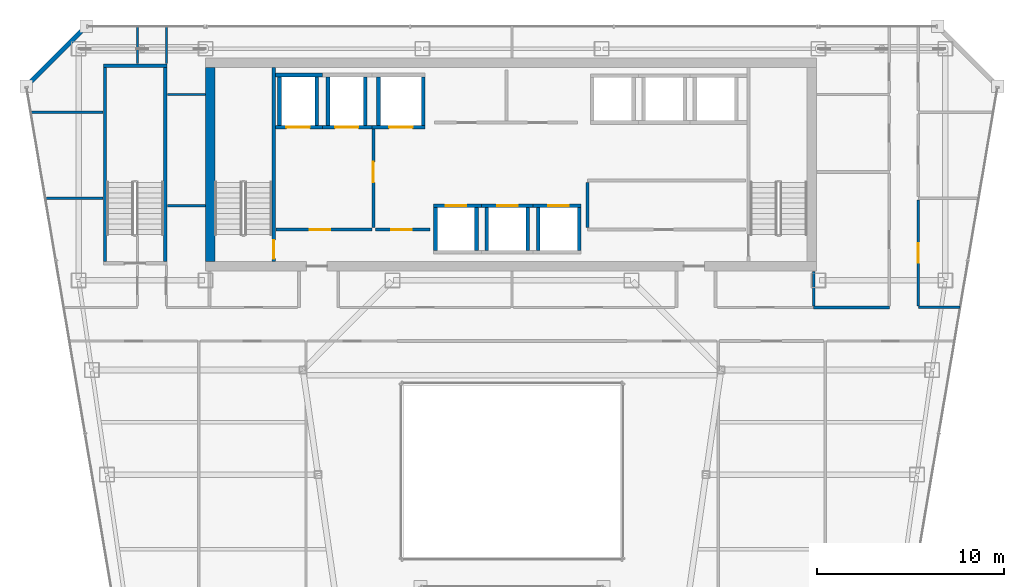
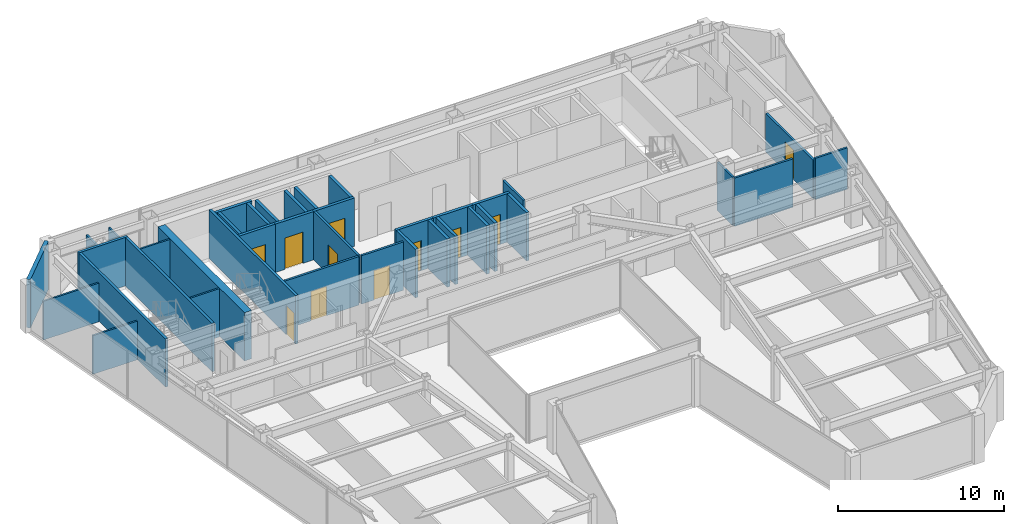
# One storey, part 31 of 36: 39 walls, 11 doors, 11 openings.
"""IFC4 building model written with IfcOpenShell, lengths in metres."""

from ifc_helpers import new_model, si_unit, direction, frame, frame_2d, origin, place, context, subcontext, project, spatial, rectangle, extrude, material, layer, layer_set, type_object, element, fill, save


model = new_model("IFC4")

# Units and contexts
model_context = context("Model", 3, precision=1e-05, world=origin(), true_north=direction((0.0, 1.0)))
body_context = subcontext(model_context, "Body", "Model", "MODEL_VIEW")
ifc_project = project(units=[si_unit("LENGTHUNIT", "METRE"), si_unit("AREAUNIT", "SQUARE_METRE"), si_unit("VOLUMEUNIT", "CUBIC_METRE"), si_unit("PLANEANGLEUNIT", "RADIAN"), si_unit("MASSUNIT", "GRAM", prefix="KILO")], contexts=[model_context])

# Site, building, storey
site_placement = place(None, origin())
site = spatial("IfcSite", under=ifc_project, at=site_placement, CompositionType="ELEMENT")
building_placement = place(site_placement, origin())
building = spatial("IfcBuilding", under=site, at=building_placement, Name="Saevonmaru Cultural Tower", CompositionType="ELEMENT")
storey_placement = place(building_placement, frame((0.0, 0.0, 182.800048828125)))
storey = spatial("IfcBuildingStorey", under=building, at=storey_placement, Name="L41", CompositionType="ELEMENT", Elevation=182.800048828125)

# Wall
ifc_material_1 = material(Name="Concrete C60/75", Category="concrete")
ifc_layer_1 = layer(ifc_material_1, 0.5, Name="Concrete C60/75")
ifc_layer_set_1 = layer_set([ifc_layer_1], Name="Concrete C60/75")
wall_type_1 = type_object("IfcWallType", Name="WL-CORE-500", PredefinedType="SHEAR", material=ifc_layer_set_1)
wall_1_placement = place(storey_placement, frame((13.85009765625, 43.39990234375, 0.0), z_axis=(0.0, 0.0, 1.0), x_axis=(0.0, 1.0, 0.0)))
element("IfcWall", 1, at=wall_1_placement, inside=storey, type_object=wall_type_1, Name="L41 Tower RC core shear wall W", PredefinedType="SHEAR", context=body_context, shape_type="SweptSolid", body=[
    extrude(rectangle(XDim=10.400146484375, YDim=0.5, at=frame_2d((5.2001953125, 0.0))), origin(), (0.0, 0.0, 1.0), 3.550048828125),
])

# Wall, opening, door
ifc_material_2 = material(Name="Gypsum Fireboard Partition", Category="gypsum")
ifc_layer_2 = layer(ifc_material_2, 0.14990234375, Name="Gypsum Fireboard Partition")
ifc_layer_set_2 = layer_set([ifc_layer_2], Name="Gypsum Fireboard Partition")
wall_type_2 = type_object("IfcWallType", Name="WL-CORE-PART-150", PredefinedType="PARTITIONING", material=ifc_layer_set_2)
wall_2_placement = place(storey_placement, frame((17.360107421875, 45.1201171875, 0.0), z_axis=(0.0, 0.0, 1.0), x_axis=(1.0, 0.0, 0.0)))
wall_2 = element("IfcWall", 2, at=wall_2_placement, inside=storey, type_object=wall_type_2, Name="L41 Firefighting Lift Lobby South Wall", PredefinedType="PARTITIONING", context=body_context, shape_type="SweptSolid", body=[
    extrude(rectangle(XDim=5.139892578125, YDim=0.14990234375, at=frame_2d((2.56982421875, 0.0))), origin(), (0.0, 0.0, 1.0), 3.550048828125),
])
opening_1_placement = place(wall_2_placement, frame((1.800048828125, 0.0, 0.0)))
opening_1 = element("IfcOpeningElement", 3, at=opening_1_placement, cuts=wall_2, Name="Opening FD-2", PredefinedType="OPENING", context=body_context, shape_type="SweptSolid", body=[
    extrude(rectangle(XDim=1.10009765625, YDim=2.14990234375, at=frame_2d((0.550048828125, 1.074951171875))), frame((0.0, 0.0849609375, 0.0), z_axis=(0.0, -1.0, 0.0), x_axis=(1.0, 0.0, 0.0)), (0.0, 0.0, 1.0), 0.169921875),
])
ifc_material_3 = material(Name="Satin Bronze Anodised Aluminium", Category="aluminium")
door_type_1 = type_object("IfcDoorType", Name="DR-FD60-1100", OperationType="SINGLE_SWING_LEFT", PredefinedType="DOOR", material=ifc_material_3)
door_1_placement = place(opening_1_placement, origin())
door_1 = element("IfcDoor", 4, at=door_1_placement, inside=storey, type_object=door_type_1, Name="L41 Firefighting Lift Lobby South Door", OperationType="SINGLE_SWING_LEFT", OverallHeight=2.14990234375, OverallWidth=1.10009765625, PredefinedType="DOOR", context=body_context, shape_type="SweptSolid", body=[
    extrude(rectangle(XDim=1.10009765625, YDim=2.14990234375, at=frame_2d((0.550048828125, 1.074951171875))), frame((0.0, 0.02490234375, 0.0), z_axis=(0.0, -1.0, 0.0), x_axis=(1.0, 0.0, 0.0)), (0.0, 0.0, 1.0), 0.050048828125),
])
fill(opening_1, door_1)

wall_3_placement = place(storey_placement, frame((22.580078125, 50.550048828125, 0.0), z_axis=(0.0, 0.0, 1.0), x_axis=(0.0, -1.0, 0.0)))
wall_3 = element("IfcWall", 5, at=wall_3_placement, inside=storey, type_object=wall_type_2, Name="L41 Firefighting Lift Lobby East Wall", PredefinedType="PARTITIONING", context=body_context, shape_type="SweptSolid", body=[
    extrude(rectangle(XDim=5.330078125, YDim=0.14990234375, at=frame_2d((2.6650390625, 0.0))), origin(), (0.0, 0.0, 1.0), 3.550048828125),
])
opening_2_placement = place(wall_3_placement, frame((1.800048828125, 0.0, 0.0)))
opening_2 = element("IfcOpeningElement", 6, at=opening_2_placement, cuts=wall_3, Name="Opening FD-2", PredefinedType="OPENING", context=body_context, shape_type="SweptSolid", body=[
    extrude(rectangle(XDim=1.10009765625, YDim=2.14990234375, at=frame_2d((0.550048828125, 1.074951171875))), frame((0.0, 0.0849609375, 0.0), z_axis=(0.0, -1.0, 0.0), x_axis=(1.0, 0.0, 0.0)), (0.0, 0.0, 1.0), 0.169921875),
])
door_2_placement = place(opening_2_placement, origin())
door_2 = element("IfcDoor", 7, at=door_2_placement, inside=storey, type_object=door_type_1, Name="L41 Firefighting Lift Lobby East Door", OperationType="SINGLE_SWING_LEFT", OverallHeight=2.14990234375, OverallWidth=1.10009765625, PredefinedType="DOOR", context=body_context, shape_type="SweptSolid", body=[
    extrude(rectangle(XDim=1.10009765625, YDim=2.14990234375, at=frame_2d((0.550048828125, 1.074951171875))), frame((0.0, 0.02490234375, 0.0), z_axis=(0.0, -1.0, 0.0), x_axis=(1.0, 0.0, 0.0)), (0.0, 0.0, 1.0), 0.050048828125),
])
fill(opening_2, door_2)

wall_4_placement = place(storey_placement, frame((22.679931640625, 45.1201171875, 0.0), z_axis=(0.0, 0.0, 1.0), x_axis=(1.0, 0.0, 0.0)))
wall_4 = element("IfcWall", 8, at=wall_4_placement, inside=storey, type_object=wall_type_2, Name="L41 Service Lift Vestibule Wall", PredefinedType="PARTITIONING", context=body_context, shape_type="SweptSolid", body=[
    extrude(rectangle(XDim=2.920166015625, YDim=0.14990234375, at=frame_2d((1.4599609375, 0.0))), origin(), (0.0, 0.0, 1.0), 3.550048828125),
])
opening_3_placement = place(wall_4_placement, frame((0.85009765625, 0.0, 0.0)))
opening_3 = element("IfcOpeningElement", 9, at=opening_3_placement, cuts=wall_4, Name="Opening FD-2", PredefinedType="OPENING", context=body_context, shape_type="SweptSolid", body=[
    extrude(rectangle(XDim=1.10009765625, YDim=2.14990234375, at=frame_2d((0.550048828125, 1.074951171875))), frame((0.0, 0.0849609375, 0.0), z_axis=(0.0, -1.0, 0.0), x_axis=(1.0, 0.0, 0.0)), (0.0, 0.0, 1.0), 0.169921875),
])
door_3_placement = place(opening_3_placement, origin())
door_3 = element("IfcDoor", 10, at=door_3_placement, inside=storey, type_object=door_type_1, Name="L41 Service Lift Vestibule Door", OperationType="SINGLE_SWING_LEFT", OverallHeight=2.14990234375, OverallWidth=1.10009765625, PredefinedType="DOOR", context=body_context, shape_type="SweptSolid", body=[
    extrude(rectangle(XDim=1.10009765625, YDim=2.14990234375, at=frame_2d((0.550048828125, 1.074951171875))), frame((0.0, 0.02490234375, 0.0), z_axis=(0.0, -1.0, 0.0), x_axis=(1.0, 0.0, 0.0)), (0.0, 0.0, 1.0), 0.050048828125),
])
fill(opening_3, door_3)

# Walls
wall_5_placement = place(storey_placement, frame((34.050048828125, 45.219970703125, 0.0), z_axis=(0.0, 0.0, 1.0), x_axis=(0.0, 1.0, 0.0)))
element("IfcWall", 11, at=wall_5_placement, inside=storey, type_object=wall_type_2, Name="L41 Core Service West Wall", PredefinedType="PARTITIONING", context=body_context, shape_type="SweptSolid", body=[
    extrude(rectangle(XDim=2.429931640625, YDim=0.14990234375, at=frame_2d((1.21484375, 0.0))), origin(), (0.0, 0.0, 1.0), 3.550048828125),
])
ifc_material_4 = material(Name="Granite-Clad Precast Concrete C40/50", Category="masonry")
ifc_layer_3 = layer(ifc_material_4, 0.260009765625, Name="Granite-Clad Precast Concrete C40/50")
ifc_layer_set_3 = layer_set([ifc_layer_3], Name="Granite-Clad Precast Concrete C40/50")
wall_type_3 = type_object("IfcWallType", Name="WL-EXT-SPANDREL-260", PredefinedType="STANDARD", material=ifc_layer_set_3)
wall_6_placement = place(storey_placement, frame((7.0869140625, 55.886962890625, 0.0), z_axis=(0.0, 0.0, 1.0), x_axis=(-0.707106781187, -0.707106781187, 0.0)))
element("IfcWall", 12, at=wall_6_placement, inside=storey, type_object=wall_type_3, Name="L41 Chamfer Corner Spandrel Wall E11", PredefinedType="STANDARD", context=body_context, shape_type="SweptSolid", body=[
    extrude(rectangle(XDim=4.205810546875, YDim=0.260009765625, at=frame_2d((2.10302734375, 0.0))), origin(), (0.0, 0.0, 1.0), 3.550048828125),
])

# Wall, opening, door
ifc_layer_4 = layer(ifc_material_2, 0.14990234375, Name="Gypsum Fireboard Partition")
ifc_layer_set_4 = layer_set([ifc_layer_4], Name="Gypsum Fireboard Partition")
wall_type_4 = type_object("IfcWallType", Name="WL-PART-FIRE-150", PredefinedType="PARTITIONING", material=ifc_layer_set_4)
wall_7_placement = place(storey_placement, frame((51.75, 41.03759765625, 0.0), z_axis=(0.0, 0.0, 1.0), x_axis=(0.0, 1.0, 0.0)))
wall_7 = element("IfcWall", 13, at=wall_7_placement, inside=storey, type_object=wall_type_4, Name="L41 Permanent Exhibition Gallery Corridor Wall", PredefinedType="PARTITIONING", context=body_context, shape_type="SweptSolid", body=[
    extrude(rectangle(XDim=5.6748046875, YDim=0.14990234375, at=frame_2d((2.83740234375, 0.0))), origin(), (0.0, 0.0, 1.0), 2.8349609375),
])
opening_4_placement = place(wall_7_placement, frame((2.31201171875, 0.0, 0.0)))
opening_4 = element("IfcOpeningElement", 14, at=opening_4_placement, cuts=wall_7, Name="Opening ID-1", PredefinedType="OPENING", context=body_context, shape_type="SweptSolid", body=[
    extrude(rectangle(XDim=1.050048828125, YDim=2.14990234375, at=frame_2d((0.52490234375, 1.074951171875))), frame((0.0, 0.0849609375, 0.0), z_axis=(0.0, -1.0, 0.0), x_axis=(1.0, 0.0, 0.0)), (0.0, 0.0, 1.0), 0.169921875),
])
door_type_2 = type_object("IfcDoorType", Name="DR-INT-1050", OperationType="SINGLE_SWING_LEFT", PredefinedType="DOOR", material=ifc_material_3)
door_4_placement = place(opening_4_placement, origin())
door_4 = element("IfcDoor", 15, at=door_4_placement, inside=storey, type_object=door_type_2, Name="L41 Permanent Exhibition Gallery Door", OperationType="SINGLE_SWING_LEFT", OverallHeight=2.14990234375, OverallWidth=1.050048828125, PredefinedType="DOOR", context=body_context, shape_type="SweptSolid", body=[
    extrude(rectangle(XDim=1.050048828125, YDim=2.14990234375, at=frame_2d((0.52490234375, 1.074951171875))), frame((0.0, 0.02490234375, 0.0), z_axis=(0.0, -1.0, 0.0), x_axis=(1.0, 0.0, 0.0)), (0.0, 0.0, 1.0), 0.050048828125),
])
fill(opening_4, door_4)

# Walls
ifc_layer_5 = layer(ifc_material_2, 0.1201171875, Name="Gypsum Fireboard Partition")
ifc_layer_set_5 = layer_set([ifc_layer_5], Name="Gypsum Fireboard Partition")
wall_type_5 = type_object("IfcWallType", Name="WL-PART-GYP-120", PredefinedType="PARTITIONING", material=ifc_layer_set_5)
wall_8_placement = place(storey_placement, frame((11.550048828125, 52.35009765625, 0.0), z_axis=(0.0, 0.0, 1.0), x_axis=(1.0, 0.0, 0.0)))
element("IfcWall", 16, at=wall_8_placement, inside=storey, type_object=wall_type_5, Name="L41 North-West Panorama South Wall", PredefinedType="PARTITIONING", context=body_context, shape_type="SweptSolid", body=[
    extrude(rectangle(XDim=2.030029296875, YDim=0.1201171875, at=frame_2d((1.01513671875, 0.0))), origin(), (0.0, 0.0, 1.0), 3.550048828125),
])
wall_9_placement = place(storey_placement, frame((11.5, 54.0, 0.0), z_axis=(0.0, 0.0, 1.0), x_axis=(0.0, 1.0, 0.0)))
element("IfcWall", 17, at=wall_9_placement, inside=storey, type_object=wall_type_5, Name="L41 Editorial Fellows Office Corridor Wall", PredefinedType="PARTITIONING", context=body_context, shape_type="SweptSolid", body=[
    extrude(rectangle(XDim=1.9951171875, YDim=0.1201171875, at=frame_2d((0.99755859375, 0.0))), origin(), (0.0, 0.0, 1.0), 2.93505859375),
])
wall_10_placement = place(storey_placement, frame((5.020751953125, 46.800048828125, 0.0), z_axis=(0.0, 0.0, 1.0), x_axis=(1.0, 0.0, 0.0)))
element("IfcWall", 18, at=wall_10_placement, inside=storey, type_object=wall_type_5, Name="L41 NW Studio Divider 1", PredefinedType="PARTITIONING", context=body_context, shape_type="SweptSolid", body=[
    extrude(rectangle(XDim=3.079345703125, YDim=0.1201171875, at=frame_2d((1.53955078125, 0.0))), origin(), (0.0, 0.0, 1.0), 2.8349609375),
])
wall_11_placement = place(storey_placement, frame((4.2421875, 51.39990234375, 0.0), z_axis=(0.0, 0.0, 1.0), x_axis=(1.0, 0.0, 0.0)))
element("IfcWall", 19, at=wall_11_placement, inside=storey, type_object=wall_type_5, Name="L41 NW Studio Divider 2", PredefinedType="PARTITIONING", context=body_context, shape_type="SweptSolid", body=[
    extrude(rectangle(XDim=3.85791015625, YDim=0.1201171875, at=frame_2d((1.928955078125, 0.0))), origin(), (0.0, 0.0, 1.0), 2.8349609375),
])
wall_12_placement = place(storey_placement, frame((9.949951171875, 54.0, 0.0), z_axis=(0.0, 0.0, 1.0), x_axis=(0.0, 1.0, 0.0)))
element("IfcWall", 20, at=wall_12_placement, inside=storey, type_object=wall_type_5, Name="L41 Editorial Fellows Office Corridor Wall", PredefinedType="PARTITIONING", context=body_context, shape_type="SweptSolid", body=[
    extrude(rectangle(XDim=1.9951171875, YDim=0.1201171875, at=frame_2d((0.99755859375, 0.0))), origin(), (0.0, 0.0, 1.0), 2.93505859375),
])
wall_13_placement = place(storey_placement, frame((11.550048828125, 46.39990234375, 0.0), z_axis=(0.0, 0.0, 1.0), x_axis=(1.0, 0.0, 0.0)))
element("IfcWall", 21, at=wall_13_placement, inside=storey, type_object=wall_type_5, Name="L41 NW Inner Divider", PredefinedType="PARTITIONING", context=body_context, shape_type="SweptSolid", body=[
    extrude(rectangle(XDim=2.030029296875, YDim=0.1201171875, at=frame_2d((1.01513671875, 0.0))), origin(), (0.0, 0.0, 1.0), 3.550048828125),
])
ifc_layer_6 = layer(ifc_material_2, 0.135009765625, Name="Gypsum Fireboard Partition")
ifc_layer_set_6 = layer_set([ifc_layer_6], Name="Gypsum Fireboard Partition")
wall_type_6 = type_object("IfcWallType", Name="WL-PART-GYP-135", PredefinedType="PARTITIONING", material=ifc_layer_set_6)
wall_14_placement = place(storey_placement, frame((51.75, 40.949951171875, 0.0), z_axis=(0.0, 0.0, 1.0), x_axis=(1.0, 0.0, 0.0)))
element("IfcWall", 22, at=wall_14_placement, inside=storey, type_object=wall_type_6, Name="L41 NE Wing South Wall", PredefinedType="PARTITIONING", context=body_context, shape_type="SweptSolid", body=[
    extrude(rectangle(XDim=2.23876953125, YDim=0.135009765625, at=frame_2d((1.119384765625, 0.0))), origin(), (0.0, 0.0, 1.0), 3.034912109375),
])
ifc_layer_7 = layer(ifc_material_2, 0.139892578125, Name="Gypsum Fireboard Partition")
ifc_layer_set_7 = layer_set([ifc_layer_7], Name="Gypsum Fireboard Partition")
wall_type_7 = type_object("IfcWallType", Name="WL-PART-WET-140", PredefinedType="PARTITIONING", material=ifc_layer_set_7)
wall_15_placement = place(storey_placement, frame((46.14990234375, 40.949951171875, 0.0), z_axis=(0.0, 0.0, 1.0), x_axis=(1.0, 0.0, 0.0)))
element("IfcWall", 23, at=wall_15_placement, inside=storey, type_object=wall_type_7, Name="L41 Washroom South Wall", PredefinedType="PARTITIONING", context=body_context, shape_type="SweptSolid", body=[
    extrude(rectangle(XDim=4.050048828125, YDim=0.139892578125, at=frame_2d((2.02490234375, 0.0))), origin(), (0.0, 0.0, 1.0), 3.550048828125),
])
wall_16_placement = place(storey_placement, frame((46.14990234375, 41.0400390625, 0.0), z_axis=(0.0, 0.0, 1.0), x_axis=(0.0, 1.0, 0.0)))
element("IfcWall", 24, at=wall_16_placement, inside=storey, type_object=wall_type_7, Name="L41 Washroom South-West Return", PredefinedType="PARTITIONING", context=body_context, shape_type="SweptSolid", body=[
    extrude(rectangle(XDim=1.83984375, YDim=0.139892578125, at=frame_2d((0.919921875, 0.0))), origin(), (0.0, 0.0, 1.0), 3.550048828125),
])

# Wall, opening, door
ifc_material_5 = material(Name="Concrete C40/50", Category="concrete")
ifc_layer_8 = layer(ifc_material_5, 0.199951171875, Name="Concrete C40/50")
ifc_layer_set_8 = layer_set([ifc_layer_8], Name="Concrete C40/50")
wall_type_8 = type_object("IfcWallType", Name="WL-SHAFT-200", PredefinedType="SHEAR", material=ifc_layer_set_8)
wall_17_placement = place(storey_placement, frame((17.330078125, 50.60009765625, 0.0), z_axis=(0.0, 0.0, 1.0), x_axis=(1.0, 0.0, 0.0)))
wall_17 = element("IfcWall", 25, at=wall_17_placement, inside=storey, type_object=wall_type_8, Name="L41 Lift FFL-1 Hoistway Wall S", PredefinedType="SHEAR", context=body_context, shape_type="SweptSolid", body=[
    extrude(rectangle(XDim=2.52001953125, YDim=0.199951171875, at=frame_2d((1.260009765625, 0.0))), origin(), (0.0, 0.0, 1.0), 3.550048828125),
])
opening_5_placement = place(wall_17_placement, frame((0.594970703125, 0.0, 0.0)))
opening_5 = element("IfcOpeningElement", 26, at=opening_5_placement, cuts=wall_17, Name="Opening LD-2", PredefinedType="OPENING", context=body_context, shape_type="SweptSolid", body=[
    extrude(rectangle(XDim=1.25, YDim=2.300048828125, at=frame_2d((0.625, 1.14990234375))), frame((0.0, 0.10986328125, 0.0), z_axis=(0.0, -1.0, 0.0), x_axis=(1.0, 0.0, 0.0)), (0.0, 0.0, 1.0), 0.219970703125),
])
ifc_material_6 = material(Name="Stainless Steel 316", Category="steel")
door_type_3 = type_object("IfcDoorType", Name="DR-LIFT-1250", OperationType="SLIDING_TO_LEFT", PredefinedType="DOOR", material=ifc_material_6)
door_5_placement = place(opening_5_placement, origin())
door_5 = element("IfcDoor", 27, at=door_5_placement, inside=storey, type_object=door_type_3, Name="L41 Lift FFL-1 Sliding Landing Door", OperationType="SLIDING_TO_LEFT", OverallHeight=2.300048828125, OverallWidth=1.25, PredefinedType="DOOR", context=body_context, shape_type="SweptSolid", body=[
    extrude(rectangle(XDim=1.25, YDim=2.300048828125, at=frame_2d((0.625, 1.14990234375))), frame((0.0, 0.02490234375, 0.0), z_axis=(0.0, -1.0, 0.0), x_axis=(1.0, 0.0, 0.0)), (0.0, 0.0, 1.0), 0.050048828125),
])
fill(opening_5, door_5)

# Walls
wall_18_placement = place(storey_placement, frame((17.330078125, 53.39990234375, 0.0), z_axis=(0.0, 0.0, 1.0), x_axis=(1.0, 0.0, 0.0)))
element("IfcWall", 28, at=wall_18_placement, inside=storey, type_object=wall_type_8, Name="L41 Lift FFL-1 Hoistway Wall N", PredefinedType="SHEAR", context=body_context, shape_type="SweptSolid", body=[
    extrude(rectangle(XDim=2.52001953125, YDim=0.199951171875, at=frame_2d((1.260009765625, 0.0))), origin(), (0.0, 0.0, 1.0), 3.550048828125),
])
for number, where, z_axis, x_axis, name in (
    (29, (17.550048828125, 50.699951171875, 0.0), (0.0, 0.0, 1.0), (0.0, 1.0, 0.0), "L41 Lift FFL-1 Hoistway Wall W"),
    (30, (19.550048828125, 50.699951171875, 0.0), (0.0, 0.0, 1.0), (0.0, 1.0, 0.0), "L41 Lift FFL-1 Hoistway Wall E"),
):
    element("IfcWall", number, at=place(storey_placement, frame(where, z_axis=z_axis, x_axis=x_axis)), inside=storey, type_object=wall_type_8, Name=name, PredefinedType="SHEAR", context=body_context, shape_type="SweptSolid", body=[
        extrude(rectangle(XDim=2.60009765625, YDim=0.199951171875, at=frame_2d((1.300048828125, 0.0))), origin(), (0.0, 0.0, 1.0), 3.550048828125),
    ])

# Wall, opening, door
wall_19_placement = place(storey_placement, frame((19.85009765625, 50.60009765625, 0.0), z_axis=(0.0, 0.0, 1.0), x_axis=(1.0, 0.0, 0.0)))
wall_19 = element("IfcWall", 31, at=wall_19_placement, inside=storey, type_object=wall_type_8, Name="L41 Lift FFL-2 Hoistway Wall S", PredefinedType="SHEAR", context=body_context, shape_type="SweptSolid", body=[
    extrude(rectangle(XDim=2.64990234375, YDim=0.199951171875, at=frame_2d((1.324951171875, 0.0))), origin(), (0.0, 0.0, 1.0), 3.550048828125),
])
opening_6_placement = place(wall_19_placement, frame((0.675048828125, 0.0, 0.0)))
opening_6 = element("IfcOpeningElement", 32, at=opening_6_placement, cuts=wall_19, Name="Opening LD-2", PredefinedType="OPENING", context=body_context, shape_type="SweptSolid", body=[
    extrude(rectangle(XDim=1.25, YDim=2.300048828125, at=frame_2d((0.625, 1.14990234375))), frame((0.0, 0.10986328125, 0.0), z_axis=(0.0, -1.0, 0.0), x_axis=(1.0, 0.0, 0.0)), (0.0, 0.0, 1.0), 0.219970703125),
])
door_6_placement = place(opening_6_placement, origin())
door_6 = element("IfcDoor", 33, at=door_6_placement, inside=storey, type_object=door_type_3, Name="L41 Lift FFL-2 Sliding Landing Door", OperationType="SLIDING_TO_LEFT", OverallHeight=2.300048828125, OverallWidth=1.25, PredefinedType="DOOR", context=body_context, shape_type="SweptSolid", body=[
    extrude(rectangle(XDim=1.25, YDim=2.300048828125, at=frame_2d((0.625, 1.14990234375))), frame((0.0, 0.02490234375, 0.0), z_axis=(0.0, -1.0, 0.0), x_axis=(1.0, 0.0, 0.0)), (0.0, 0.0, 1.0), 0.050048828125),
])
fill(opening_6, door_6)

# Walls
for number, where, z_axis, x_axis, name in (
    (34, (20.14990234375, 50.699951171875, 0.0), (0.0, 0.0, 1.0), (0.0, 1.0, 0.0), "L41 Lift FFL-2 Hoistway Wall W"),
    (35, (22.14990234375, 50.699951171875, 0.0), (0.0, 0.0, 1.0), (0.0, 1.0, 0.0), "L41 Lift FFL-2 Hoistway Wall E"),
):
    element("IfcWall", number, at=place(storey_placement, frame(where, z_axis=z_axis, x_axis=x_axis)), inside=storey, type_object=wall_type_8, Name=name, PredefinedType="SHEAR", context=body_context, shape_type="SweptSolid", body=[
        extrude(rectangle(XDim=2.60009765625, YDim=0.199951171875, at=frame_2d((1.300048828125, 0.0))), origin(), (0.0, 0.0, 1.0), 3.550048828125),
    ])

# Wall, opening, door
wall_20_placement = place(storey_placement, frame((22.5, 50.60009765625, 0.0), z_axis=(0.0, 0.0, 1.0), x_axis=(1.0, 0.0, 0.0)))
wall_20 = element("IfcWall", 36, at=wall_20_placement, inside=storey, type_object=wall_type_8, Name="L41 Lift GL-1 Hoistway Wall S", PredefinedType="SHEAR", context=body_context, shape_type="SweptSolid", body=[
    extrude(rectangle(XDim=2.85009765625, YDim=0.199951171875, at=frame_2d((1.425048828125, 0.0))), origin(), (0.0, 0.0, 1.0), 3.550048828125),
])
opening_7_placement = place(wall_20_placement, frame((0.925048828125, 0.0, 0.0)))
opening_7 = element("IfcOpeningElement", 37, at=opening_7_placement, cuts=wall_20, Name="Opening LD-2", PredefinedType="OPENING", context=body_context, shape_type="SweptSolid", body=[
    extrude(rectangle(XDim=1.25, YDim=2.300048828125, at=frame_2d((0.625, 1.14990234375))), frame((0.0, 0.10986328125, 0.0), z_axis=(0.0, -1.0, 0.0), x_axis=(1.0, 0.0, 0.0)), (0.0, 0.0, 1.0), 0.219970703125),
])
door_7_placement = place(opening_7_placement, origin())
door_7 = element("IfcDoor", 38, at=door_7_placement, inside=storey, type_object=door_type_3, Name="L41 Lift GL-1 Sliding Landing Door", OperationType="SLIDING_TO_LEFT", OverallHeight=2.300048828125, OverallWidth=1.25, PredefinedType="DOOR", context=body_context, shape_type="SweptSolid", body=[
    extrude(rectangle(XDim=1.25, YDim=2.300048828125, at=frame_2d((0.625, 1.14990234375))), frame((0.0, 0.02490234375, 0.0), z_axis=(0.0, -1.0, 0.0), x_axis=(1.0, 0.0, 0.0)), (0.0, 0.0, 1.0), 0.050048828125),
])
fill(opening_7, door_7)

# Walls
for number, where, z_axis, x_axis, name in (
    (39, (22.85009765625, 50.699951171875, 0.0), (0.0, 0.0, 1.0), (0.0, 1.0, 0.0), "L41 Lift GL-1 Hoistway Wall W"),
    (40, (25.25, 50.699951171875, 0.0), (0.0, 0.0, 1.0), (0.0, 1.0, 0.0), "L41 Lift GL-1 Hoistway Wall E"),
):
    element("IfcWall", number, at=place(storey_placement, frame(where, z_axis=z_axis, x_axis=x_axis)), inside=storey, type_object=wall_type_8, Name=name, PredefinedType="SHEAR", context=body_context, shape_type="SweptSolid", body=[
        extrude(rectangle(XDim=2.60009765625, YDim=0.199951171875, at=frame_2d((1.300048828125, 0.0))), origin(), (0.0, 0.0, 1.0), 3.550048828125),
    ])

# Wall, opening, door
wall_21_placement = place(storey_placement, frame((25.800048828125, 46.39990234375, 0.0), z_axis=(0.0, 0.0, 1.0), x_axis=(1.0, 0.0, 0.0)))
wall_21 = element("IfcWall", 41, at=wall_21_placement, inside=storey, type_object=wall_type_8, Name="L41 Lift PL-M1 Hoistway Wall N", PredefinedType="SHEAR", context=body_context, shape_type="SweptSolid", body=[
    extrude(rectangle(XDim=2.574951171875, YDim=0.199951171875, at=frame_2d((1.28759765625, 0.0))), origin(), (0.0, 0.0, 1.0), 3.550048828125),
])
opening_8_placement = place(wall_21_placement, frame((0.64990234375, 0.0, 0.0)))
opening_8 = element("IfcOpeningElement", 42, at=opening_8_placement, cuts=wall_21, Name="Opening LD-1", PredefinedType="OPENING", context=body_context, shape_type="SweptSolid", body=[
    extrude(rectangle(XDim=1.10009765625, YDim=2.199951171875, at=frame_2d((0.550048828125, 1.10009765625))), frame((0.0, 0.10986328125, 0.0), z_axis=(0.0, -1.0, 0.0), x_axis=(1.0, 0.0, 0.0)), (0.0, 0.0, 1.0), 0.219970703125),
])
ifc_material_7 = material(Name="Satin Bronze Stainless Steel", Category="steel")
door_type_4 = type_object("IfcDoorType", Name="DR-LIFT-1100", OperationType="SLIDING_TO_LEFT", PredefinedType="DOOR", material=ifc_material_7)
door_8_placement = place(opening_8_placement, origin())
door_8 = element("IfcDoor", 43, at=door_8_placement, inside=storey, type_object=door_type_4, Name="L41 Lift PL-M1 Sliding Landing Door", OperationType="SLIDING_TO_LEFT", OverallHeight=2.199951171875, OverallWidth=1.10009765625, PredefinedType="DOOR", context=body_context, shape_type="SweptSolid", body=[
    extrude(rectangle(XDim=1.10009765625, YDim=2.199951171875, at=frame_2d((0.550048828125, 1.10009765625))), frame((0.0, 0.02490234375, 0.0), z_axis=(0.0, -1.0, 0.0), x_axis=(1.0, 0.0, 0.0)), (0.0, 0.0, 1.0), 0.050048828125),
])
fill(opening_8, door_8)

# Walls
for number, where, z_axis, x_axis, name in (
    (44, (25.89990234375, 44.0, 0.0), (0.0, 0.0, 1.0), (0.0, 1.0, 0.0), "L41 Lift PL-M1 Hoistway Wall W"),
    (45, (28.10009765625, 44.0, 0.0), (0.0, 0.0, 1.0), (0.0, 1.0, 0.0), "L41 Lift PL-M1 Hoistway Wall E"),
):
    element("IfcWall", number, at=place(storey_placement, frame(where, z_axis=z_axis, x_axis=x_axis)), inside=storey, type_object=wall_type_8, Name=name, PredefinedType="SHEAR", context=body_context, shape_type="SweptSolid", body=[
        extrude(rectangle(XDim=2.300048828125, YDim=0.199951171875, at=frame_2d((1.14990234375, 0.0))), origin(), (0.0, 0.0, 1.0), 3.550048828125),
    ])

# Wall, opening, door
wall_22_placement = place(storey_placement, frame((28.375, 46.39990234375, 0.0), z_axis=(0.0, 0.0, 1.0), x_axis=(1.0, 0.0, 0.0)))
wall_22 = element("IfcWall", 46, at=wall_22_placement, inside=storey, type_object=wall_type_8, Name="L41 Lift PL-M2 Hoistway Wall N", PredefinedType="SHEAR", context=body_context, shape_type="SweptSolid", body=[
    extrude(rectangle(XDim=2.75, YDim=0.199951171875, at=frame_2d((1.375, 0.0))), origin(), (0.0, 0.0, 1.0), 3.550048828125),
])
opening_9_placement = place(wall_22_placement, frame((0.824951171875, 0.0, 0.0)))
opening_9 = element("IfcOpeningElement", 47, at=opening_9_placement, cuts=wall_22, Name="Opening LD-1", PredefinedType="OPENING", context=body_context, shape_type="SweptSolid", body=[
    extrude(rectangle(XDim=1.10009765625, YDim=2.199951171875, at=frame_2d((0.550048828125, 1.10009765625))), frame((0.0, 0.10986328125, 0.0), z_axis=(0.0, -1.0, 0.0), x_axis=(1.0, 0.0, 0.0)), (0.0, 0.0, 1.0), 0.219970703125),
])
door_9_placement = place(opening_9_placement, origin())
door_9 = element("IfcDoor", 48, at=door_9_placement, inside=storey, type_object=door_type_4, Name="L41 Lift PL-M2 Sliding Landing Door", OperationType="SLIDING_TO_LEFT", OverallHeight=2.199951171875, OverallWidth=1.10009765625, PredefinedType="DOOR", context=body_context, shape_type="SweptSolid", body=[
    extrude(rectangle(XDim=1.10009765625, YDim=2.199951171875, at=frame_2d((0.550048828125, 1.10009765625))), frame((0.0, 0.02490234375, 0.0), z_axis=(0.0, -1.0, 0.0), x_axis=(1.0, 0.0, 0.0)), (0.0, 0.0, 1.0), 0.050048828125),
])
fill(opening_9, door_9)

# Walls
for number, where, z_axis, x_axis, name in (
    (49, (28.64990234375, 44.0, 0.0), (0.0, 0.0, 1.0), (0.0, 1.0, 0.0), "L41 Lift PL-M2 Hoistway Wall W"),
    (50, (30.85009765625, 44.0, 0.0), (0.0, 0.0, 1.0), (0.0, 1.0, 0.0), "L41 Lift PL-M2 Hoistway Wall E"),
):
    element("IfcWall", number, at=place(storey_placement, frame(where, z_axis=z_axis, x_axis=x_axis)), inside=storey, type_object=wall_type_8, Name=name, PredefinedType="SHEAR", context=body_context, shape_type="SweptSolid", body=[
        extrude(rectangle(XDim=2.300048828125, YDim=0.199951171875, at=frame_2d((1.14990234375, 0.0))), origin(), (0.0, 0.0, 1.0), 3.550048828125),
    ])

# Wall, opening, door
wall_23_placement = place(storey_placement, frame((31.125, 46.39990234375, 0.0), z_axis=(0.0, 0.0, 1.0), x_axis=(1.0, 0.0, 0.0)))
wall_23 = element("IfcWall", 51, at=wall_23_placement, inside=storey, type_object=wall_type_8, Name="L41 Lift PL-M3 Hoistway Wall N", PredefinedType="SHEAR", context=body_context, shape_type="SweptSolid", body=[
    extrude(rectangle(XDim=2.574951171875, YDim=0.199951171875, at=frame_2d((1.28759765625, 0.0))), origin(), (0.0, 0.0, 1.0), 3.550048828125),
])
opening_10_placement = place(wall_23_placement, frame((0.824951171875, 0.0, 0.0)))
opening_10 = element("IfcOpeningElement", 52, at=opening_10_placement, cuts=wall_23, Name="Opening LD-1", PredefinedType="OPENING", context=body_context, shape_type="SweptSolid", body=[
    extrude(rectangle(XDim=1.10009765625, YDim=2.199951171875, at=frame_2d((0.550048828125, 1.10009765625))), frame((0.0, 0.10986328125, 0.0), z_axis=(0.0, -1.0, 0.0), x_axis=(1.0, 0.0, 0.0)), (0.0, 0.0, 1.0), 0.219970703125),
])
door_10_placement = place(opening_10_placement, origin())
door_10 = element("IfcDoor", 53, at=door_10_placement, inside=storey, type_object=door_type_4, Name="L41 Lift PL-M3 Sliding Landing Door", OperationType="SLIDING_TO_LEFT", OverallHeight=2.199951171875, OverallWidth=1.10009765625, PredefinedType="DOOR", context=body_context, shape_type="SweptSolid", body=[
    extrude(rectangle(XDim=1.10009765625, YDim=2.199951171875, at=frame_2d((0.550048828125, 1.10009765625))), frame((0.0, 0.02490234375, 0.0), z_axis=(0.0, -1.0, 0.0), x_axis=(1.0, 0.0, 0.0)), (0.0, 0.0, 1.0), 0.050048828125),
])
fill(opening_10, door_10)

# Walls
for number, where, z_axis, x_axis, name in (
    (54, (31.39990234375, 44.0, 0.0), (0.0, 0.0, 1.0), (0.0, 1.0, 0.0), "L41 Lift PL-M3 Hoistway Wall W"),
    (55, (33.60009765625, 44.0, 0.0), (0.0, 0.0, 1.0), (0.0, 1.0, 0.0), "L41 Lift PL-M3 Hoistway Wall E"),
):
    element("IfcWall", number, at=place(storey_placement, frame(where, z_axis=z_axis, x_axis=x_axis)), inside=storey, type_object=wall_type_8, Name=name, PredefinedType="SHEAR", context=body_context, shape_type="SweptSolid", body=[
        extrude(rectangle(XDim=2.300048828125, YDim=0.199951171875, at=frame_2d((1.14990234375, 0.0))), origin(), (0.0, 0.0, 1.0), 3.550048828125),
    ])

# Wall, opening, door
ifc_layer_9 = layer(ifc_material_5, 0.179931640625, Name="Concrete C40/50")
ifc_layer_set_9 = layer_set([ifc_layer_9], Name="Concrete C40/50")
wall_type_9 = type_object("IfcWallType", Name="WL-STSHAFT-180", PredefinedType="SHEAR", material=ifc_layer_set_9)
wall_24_placement = place(storey_placement, frame((17.239990234375, 43.39990234375, 0.0), z_axis=(0.0, 0.0, 1.0), x_axis=(0.0, 1.0, 0.0)))
wall_24 = element("IfcWall", 56, at=wall_24_placement, inside=storey, type_object=wall_type_9, Name="L41 Stair ST-1 Structural Shaft Wall 1", PredefinedType="SHEAR", context=body_context, shape_type="SweptSolid", body=[
    extrude(rectangle(XDim=10.400146484375, YDim=0.179931640625, at=frame_2d((5.2001953125, 0.0))), origin(), (0.0, 0.0, 1.0), 3.550048828125),
])
opening_11_placement = place(wall_24_placement, frame((0.159912109375, 0.0, 0.0)))
opening_11 = element("IfcOpeningElement", 57, at=opening_11_placement, cuts=wall_24, Name="Opening FD-3", PredefinedType="OPENING", context=body_context, shape_type="SweptSolid", body=[
    extrude(rectangle(XDim=1.0, YDim=2.14990234375, at=frame_2d((0.5, 1.074951171875))), frame((0.0, 0.10009765625, 0.0), z_axis=(0.0, -1.0, 0.0), x_axis=(1.0, 0.0, 0.0)), (0.0, 0.0, 1.0), 0.199951171875),
])
door_type_5 = type_object("IfcDoorType", Name="DR-FD60-1000", OperationType="SINGLE_SWING_RIGHT", PredefinedType="DOOR", material=ifc_material_3)
door_11_placement = place(opening_11_placement, origin())
door_11 = element("IfcDoor", 58, at=door_11_placement, inside=storey, type_object=door_type_5, Name="L41 Protected Stair ST-1 Fire Door", OperationType="SINGLE_SWING_RIGHT", OverallHeight=2.14990234375, OverallWidth=1.0, PredefinedType="DOOR", context=body_context, shape_type="SweptSolid", body=[
    extrude(rectangle(XDim=1.0, YDim=2.14990234375, at=frame_2d((0.5, 1.074951171875))), frame((0.0, 0.02490234375, 0.0), z_axis=(0.0, -1.0, 0.0), x_axis=(1.0, 0.0, 0.0)), (0.0, 0.0, 1.0), 0.050048828125),
])
fill(opening_11, door_11)

# Walls
wall_25_placement = place(storey_placement, frame((11.43994140625, 43.39990234375, 0.0), z_axis=(0.0, 0.0, 1.0), x_axis=(0.0, 1.0, 0.0)))
element("IfcWall", 59, at=wall_25_placement, inside=storey, type_object=wall_type_9, Name="L41 Stair ST-3 Structural Shaft Wall 2", PredefinedType="SHEAR", context=body_context, shape_type="SweptSolid", body=[
    extrude(rectangle(XDim=10.400146484375, YDim=0.179931640625, at=frame_2d((5.2001953125, 0.0))), origin(), (0.0, 0.0, 1.0), 3.550048828125),
])
wall_26_placement = place(storey_placement, frame((11.530029296875, 53.889892578125, 0.0), z_axis=(0.0, 0.0, 1.0), x_axis=(-1.0, 0.0, 0.0)))
element("IfcWall", 60, at=wall_26_placement, inside=storey, type_object=wall_type_9, Name="L41 Stair ST-3 Structural Shaft Wall 3", PredefinedType="SHEAR", context=body_context, shape_type="SweptSolid", body=[
    extrude(rectangle(XDim=3.409912109375, YDim=0.179931640625, at=frame_2d((1.705078125, 0.0))), origin(), (0.0, 0.0, 1.0), 3.550048828125),
])
wall_27_placement = place(storey_placement, frame((8.2099609375, 53.800048828125, 0.0), z_axis=(0.0, 0.0, 1.0), x_axis=(0.0, -1.0, 0.0)))
element("IfcWall", 61, at=wall_27_placement, inside=storey, type_object=wall_type_9, Name="L41 Stair ST-3 Structural Shaft Wall 4", PredefinedType="SHEAR", context=body_context, shape_type="SweptSolid", body=[
    extrude(rectangle(XDim=10.400146484375, YDim=0.179931640625, at=frame_2d((5.2001953125, 0.0))), origin(), (0.0, 0.0, 1.0), 3.550048828125),
])

save(model, "model.ifc")
